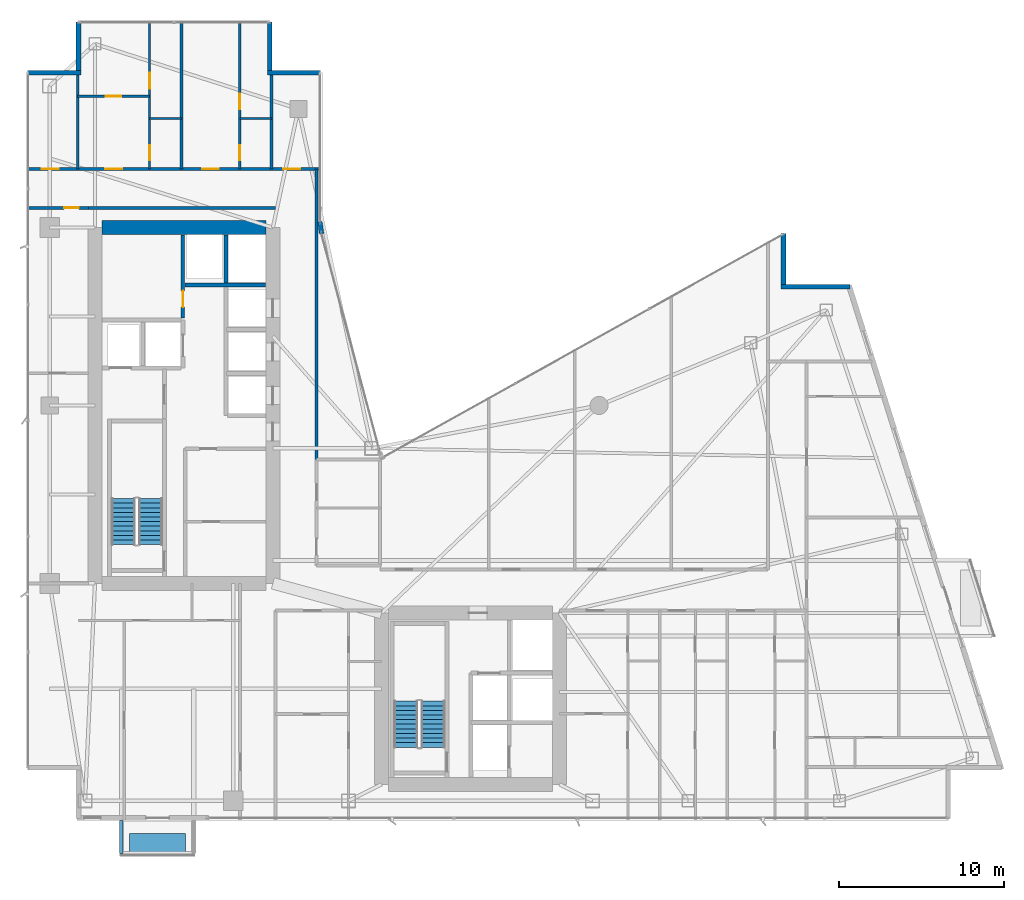
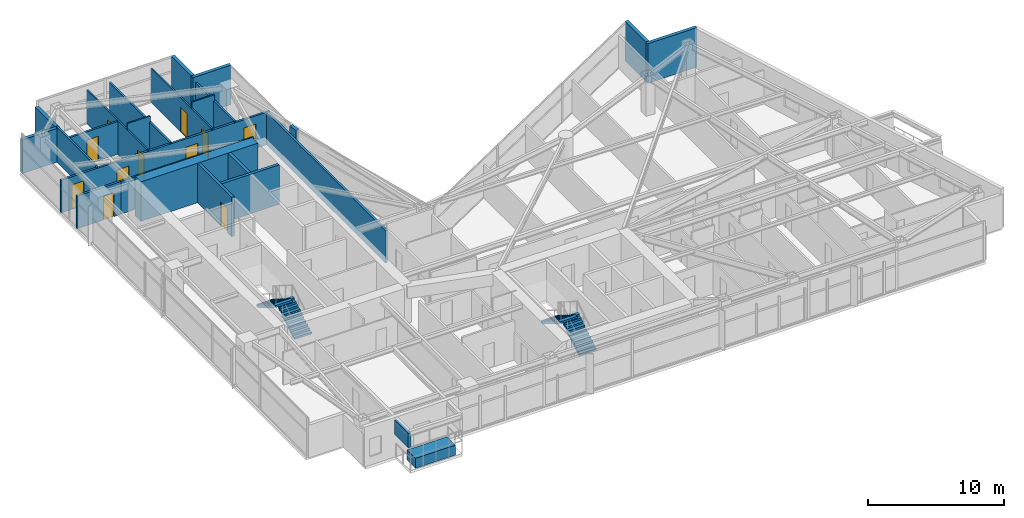
# One storey, part 25 of 29: 23 walls, 11 doors, 4 stair flights, 2 discrete accessories, 11 openings, 2 elements without a shape of their own.
"""IFC4 building model written with IfcOpenShell, lengths in metres."""

from ifc_helpers import new_model, si_unit, direction, frame, frame_2d, origin, origin_2d, place, context, subcontext, project, spatial, polyline, rectangle, outline, extrude, material, layer, layer_set, type_object, element, fill, aggregate, save


model = new_model("IFC4")

# Units and contexts
model_context = context("Model", 3, precision=1e-05, world=origin(), true_north=direction((0.0, 1.0)))
body_context = subcontext(model_context, "Body", "Model", "MODEL_VIEW")
ifc_project = project(units=[si_unit("LENGTHUNIT", "METRE"), si_unit("AREAUNIT", "SQUARE_METRE"), si_unit("VOLUMEUNIT", "CUBIC_METRE"), si_unit("PLANEANGLEUNIT", "RADIAN"), si_unit("MASSUNIT", "GRAM", prefix="KILO")], contexts=[model_context])

# Site, building, storey
site_placement = place(None, origin())
site = spatial("IfcSite", under=ifc_project, at=site_placement, CompositionType="ELEMENT")
building_placement = place(site_placement, origin())
building = spatial("IfcBuilding", under=site, at=building_placement, Name="Calvorn Quay Hotel", CompositionType="ELEMENT")
storey_placement = place(building_placement, frame((0.0, 0.0, 175.10009765625)))
storey = spatial("IfcBuildingStorey", under=building, at=storey_placement, Name="L43", CompositionType="ELEMENT", Elevation=175.10009765625)

# Wall
ifc_material_1 = material(Name="Concrete C50", Category="concrete")
ifc_layer_1 = layer(ifc_material_1, 0.85009765625)
ifc_layer_set_1 = layer_set([ifc_layer_1], Name="WL-CORE-850")
wall_type_1 = type_object("IfcWallType", Name="WL-CORE-850", PredefinedType="SHEAR", material=ifc_layer_set_1)
wall_1_placement = place(storey_placement, frame((4.625, 38.39990234375, 0.0), z_axis=(0.0, 0.0, 1.0), x_axis=(1.0, 0.0, 0.0)))
element("IfcWall", 1, at=wall_1_placement, inside=storey, type_object=wall_type_1, Name="West Core Shear Wall N (L43)", PredefinedType="SHEAR", context=body_context, shape_type="SweptSolid", body=[
    extrude(rectangle(XDim=9.949951171875, YDim=0.85009765625, at=frame_2d((4.97509765625, 0.0))), origin(), (0.0, 0.0, 1.0), 3.559814453125),
])

# Wall, opening, door
ifc_material_2 = material(Name="Acoustic Fireboard Steel-Stud Partition", Category="steel")
ifc_layer_2 = layer(ifc_material_2, 0.179931640625)
ifc_layer_set_2 = layer_set([ifc_layer_2], Name="WL-CORR-FIRE-180")
wall_type_2 = type_object("IfcWallType", Name="WL-CORR-FIRE-180", PredefinedType="PARTITIONING", material=ifc_layer_set_2)
wall_2_placement = place(storey_placement, frame((0.080078125, 39.60009765625, 0.0), z_axis=(0.0, 0.0, 1.0), x_axis=(1.0, 0.0, 0.0)))
wall_2 = element("IfcWall", 2, at=wall_2_placement, inside=storey, type_object=wall_type_2, Name="Partition Wall L43-WL-WBAY-N-DOOR", PredefinedType="PARTITIONING", context=body_context, shape_type="SweptSolid", body=[
    extrude(rectangle(XDim=3.724853515625, YDim=0.179931640625, at=frame_2d((1.8623046875, 0.0))), origin(), (0.0, 0.0, 1.0), 2.93994140625),
])
opening_1_placement = place(wall_2_placement, frame((2.25, 0.0, 0.0)))
opening_1 = element("IfcOpeningElement", 3, at=opening_1_placement, cuts=wall_2, Name="Opening D-L43-WBN", PredefinedType="OPENING", context=body_context, shape_type="SweptSolid", body=[
    extrude(rectangle(XDim=0.89990234375, YDim=2.14990234375, at=frame_2d((0.449951171875, 1.074951171875))), frame((0.0, 0.099853515625, 0.0), z_axis=(0.0, -1.0, 0.0), x_axis=(1.0, 0.0, 0.0)), (0.0, 0.0, 1.0), 0.199951171875),
])
ifc_material_3 = material(Name="Moisture-Sealed Timber En-Suite Door", Category="wood")
door_type_1 = type_object("IfcDoorType", Name="DR-ENSUITE-900", OperationType="NOTDEFINED", PredefinedType="DOOR", material=ifc_material_3)
door_1_placement = place(opening_1_placement, origin())
door_1 = element("IfcDoor", 4, at=door_1_placement, inside=storey, type_object=door_type_1, Name="West North Bay Door (L43)", OperationType="SINGLE_SWING_LEFT", OverallHeight=2.14990234375, OverallWidth=0.89990234375, PredefinedType="DOOR", context=body_context, shape_type="SweptSolid", body=[
    extrude(rectangle(XDim=0.89990234375, YDim=2.14990234375, at=frame_2d((0.449951171875, 1.074951171875))), frame((0.0, 0.02490234375, 0.0), z_axis=(0.0, -1.0, 0.0), x_axis=(1.0, 0.0, 0.0)), (0.0, 0.0, 1.0), 0.050048828125),
])
fill(opening_1, door_1)

# Wall, openings, doors
wall_3_placement = place(storey_placement, frame((0.080078125, 41.949951171875, 0.0), z_axis=(0.0, 0.0, 1.0), x_axis=(1.0, 0.0, 0.0)))
wall_3 = element("IfcWall", 5, at=wall_3_placement, inside=storey, type_object=wall_type_2, Name="Partition Wall L43-WL-CORR-NW-N", PredefinedType="PARTITIONING", context=body_context, shape_type="SweptSolid", body=[
    extrude(rectangle(XDim=17.77001953125, YDim=0.179931640625, at=frame_2d((8.885009765625, 0.0))), origin(), (0.0, 0.0, 1.0), 2.93994140625),
])
opening_2_placement = place(wall_3_placement, frame((0.89990234375, 0.0, 0.0)))
opening_2 = element("IfcOpeningElement", 6, at=opening_2_placement, cuts=wall_3, Name="Opening D-L43-NWW", PredefinedType="OPENING", context=body_context, shape_type="SweptSolid", body=[
    extrude(rectangle(XDim=1.02001953125, YDim=2.199951171875, at=frame_2d((0.510009765625, 1.10009765625))), frame((0.0, 0.099853515625, 0.0), z_axis=(0.0, -1.0, 0.0), x_axis=(1.0, 0.0, 0.0)), (0.0, 0.0, 1.0), 0.199951171875),
])
opening_3_placement = place(wall_3_placement, frame((4.75, 0.0, 0.0)))
opening_3 = element("IfcOpeningElement", 7, at=opening_3_placement, cuts=wall_3, Name="Opening D-L43-U03", PredefinedType="OPENING", context=body_context, shape_type="SweptSolid", body=[
    extrude(rectangle(XDim=1.02001953125, YDim=2.199951171875, at=frame_2d((0.510009765625, 1.10009765625))), frame((0.0, 0.099853515625, 0.0), z_axis=(0.0, -1.0, 0.0), x_axis=(1.0, 0.0, 0.0)), (0.0, 0.0, 1.0), 0.199951171875),
])
opening_4_placement = place(wall_3_placement, frame((10.6298828125, 0.0, 0.0)))
opening_4 = element("IfcOpeningElement", 8, at=opening_4_placement, cuts=wall_3, Name="Opening D-L43-U04", PredefinedType="OPENING", context=body_context, shape_type="SweptSolid", body=[
    extrude(rectangle(XDim=1.02001953125, YDim=2.199951171875, at=frame_2d((0.510009765625, 1.10009765625))), frame((0.0, 0.099853515625, 0.0), z_axis=(0.0, -1.0, 0.0), x_axis=(1.0, 0.0, 0.0)), (0.0, 0.0, 1.0), 0.199951171875),
])
opening_5_placement = place(wall_3_placement, frame((15.550048828125, 0.0, 0.0)))
opening_5 = element("IfcOpeningElement", 9, at=opening_5_placement, cuts=wall_3, Name="Opening D-L43-NWE", PredefinedType="OPENING", context=body_context, shape_type="SweptSolid", body=[
    extrude(rectangle(XDim=1.02001953125, YDim=2.199951171875, at=frame_2d((0.510009765625, 1.10009765625))), frame((0.0, 0.099853515625, 0.0), z_axis=(0.0, -1.0, 0.0), x_axis=(1.0, 0.0, 0.0)), (0.0, 0.0, 1.0), 0.199951171875),
])
ifc_material_4 = material(Name="Solid-Core Walnut Veneer Hotel Fire Door")
door_type_2 = type_object("IfcDoorType", Name="DR-GUEST-ENTRY-1020", OperationType="NOTDEFINED", PredefinedType="DOOR", material=ifc_material_4)
door_2_placement = place(opening_2_placement, origin())
door_2 = element("IfcDoor", 10, at=door_2_placement, inside=storey, type_object=door_type_2, Name="West Corner Study Door (L43)", OperationType="SINGLE_SWING_LEFT", OverallHeight=2.199951171875, OverallWidth=1.02001953125, PredefinedType="DOOR", context=body_context, shape_type="SweptSolid", body=[
    extrude(rectangle(XDim=1.02001953125, YDim=2.199951171875, at=frame_2d((0.510009765625, 1.10009765625))), frame((0.0, 0.02490234375, 0.0), z_axis=(0.0, -1.0, 0.0), x_axis=(1.0, 0.0, 0.0)), (0.0, 0.0, 1.0), 0.050048828125),
])
fill(opening_2, door_2)
door_3_placement = place(opening_3_placement, origin())
door_3 = element("IfcDoor", 11, at=door_3_placement, inside=storey, type_object=door_type_2, Name="North-West Unit Door U03 (L43)", OperationType="SINGLE_SWING_RIGHT", OverallHeight=2.199951171875, OverallWidth=1.02001953125, PredefinedType="DOOR", context=body_context, shape_type="SweptSolid", body=[
    extrude(rectangle(XDim=1.02001953125, YDim=2.199951171875, at=frame_2d((0.510009765625, 1.10009765625))), frame((0.0, 0.02490234375, 0.0), z_axis=(0.0, -1.0, 0.0), x_axis=(1.0, 0.0, 0.0)), (0.0, 0.0, 1.0), 0.050048828125),
])
fill(opening_3, door_3)
door_4_placement = place(opening_4_placement, origin())
door_4 = element("IfcDoor", 12, at=door_4_placement, inside=storey, type_object=door_type_2, Name="North-West Unit Door U04 (L43)", OperationType="SINGLE_SWING_LEFT", OverallHeight=2.199951171875, OverallWidth=1.02001953125, PredefinedType="DOOR", context=body_context, shape_type="SweptSolid", body=[
    extrude(rectangle(XDim=1.02001953125, YDim=2.199951171875, at=frame_2d((0.510009765625, 1.10009765625))), frame((0.0, 0.02490234375, 0.0), z_axis=(0.0, -1.0, 0.0), x_axis=(1.0, 0.0, 0.0)), (0.0, 0.0, 1.0), 0.050048828125),
])
fill(opening_4, door_4)
door_5_placement = place(opening_5_placement, origin())
door_5 = element("IfcDoor", 13, at=door_5_placement, inside=storey, type_object=door_type_2, Name="Inner Court Study Door (L43)", OperationType="SINGLE_SWING_RIGHT", OverallHeight=2.199951171875, OverallWidth=1.02001953125, PredefinedType="DOOR", context=body_context, shape_type="SweptSolid", body=[
    extrude(rectangle(XDim=1.02001953125, YDim=2.199951171875, at=frame_2d((0.510009765625, 1.10009765625))), frame((0.0, 0.02490234375, 0.0), z_axis=(0.0, -1.0, 0.0), x_axis=(1.0, 0.0, 0.0)), (0.0, 0.0, 1.0), 0.050048828125),
])
fill(opening_5, door_5)

# Walls
wall_4_placement = place(storey_placement, frame((17.64990234375, 24.300048828125, 0.0), z_axis=(0.0, 0.0, 1.0), x_axis=(0.0, 1.0, 0.0)))
element("IfcWall", 14, at=wall_4_placement, inside=storey, type_object=wall_type_2, Name="Partition Wall L43-WL-NW-CLOSURE-E", PredefinedType="PARTITIONING", context=body_context, shape_type="SweptSolid", body=[
    extrude(rectangle(XDim=17.64990234375, YDim=0.179931640625, at=frame_2d((8.824951171875, 0.0))), origin(), (0.0, 0.0, 1.0), 2.93994140625),
])
wall_5_placement = place(storey_placement, frame((3.7548828125, 39.60009765625, 0.0), z_axis=(0.0, 0.0, 1.0), x_axis=(1.0, 0.0, 0.0)))
element("IfcWall", 15, at=wall_5_placement, inside=storey, type_object=wall_type_2, Name="Partition Wall L43-WL-W-SPUR-S", PredefinedType="PARTITIONING", context=body_context, shape_type="SweptSolid", body=[
    extrude(rectangle(XDim=11.39501953125, YDim=0.179931640625, at=frame_2d((5.697509765625, 0.0))), origin(), (0.0, 0.0, 1.0), 2.93994140625),
])
ifc_material_5 = material(Name="Moisture-Resistant Tile-Backed Partition")
ifc_layer_3 = layer(ifc_material_5, 0.125)
ifc_layer_set_3 = layer_set([ifc_layer_3], Name="WL-ENSUITE-125")
wall_type_3 = type_object("IfcWallType", Name="WL-ENSUITE-125", PredefinedType="PARTITIONING", material=ifc_layer_set_3)
wall_6_placement = place(storey_placement, frame((7.52001953125, 45.02001953125, 0.0), z_axis=(0.0, 0.0, 1.0), x_axis=(1.0, 0.0, 0.0)))
element("IfcWall", 16, at=wall_6_placement, inside=storey, type_object=wall_type_3, Name="Partition Wall L43-WL-U03-BDV", PredefinedType="PARTITIONING", context=body_context, shape_type="SweptSolid", body=[
    extrude(rectangle(XDim=1.929931640625, YDim=0.125, at=frame_2d((0.96484375, 0.0))), origin(), (0.0, 0.0, 1.0), 3.559814453125),
])

# Wall, openings, doors
wall_7_placement = place(storey_placement, frame((7.52001953125, 41.949951171875, 0.0), z_axis=(0.0, 0.0, 1.0), x_axis=(0.0, 1.0, 0.0)))
wall_7 = element("IfcWall", 17, at=wall_7_placement, inside=storey, type_object=wall_type_3, Name="Partition Wall L43-WL-U03-BV", PredefinedType="PARTITIONING", context=body_context, shape_type="SweptSolid", body=[
    extrude(rectangle(XDim=8.989990234375, YDim=0.125, at=frame_2d((4.4951171875, 0.0))), origin(), (0.0, 0.0, 1.0), 3.039794921875),
])
opening_6_placement = place(wall_7_placement, frame((0.550048828125, 0.0, 0.0)))
opening_6 = element("IfcOpeningElement", 18, at=opening_6_placement, cuts=wall_7, Name="Opening D-L43-E03", PredefinedType="OPENING", context=body_context, shape_type="SweptSolid", body=[
    extrude(rectangle(XDim=0.89990234375, YDim=2.14990234375, at=frame_2d((0.449951171875, 1.074951171875))), frame((0.0, 0.072509765625, 0.0), z_axis=(0.0, -1.0, 0.0), x_axis=(1.0, 0.0, 0.0)), (0.0, 0.0, 1.0), 0.14501953125),
])
opening_7_placement = place(wall_7_placement, frame((4.8798828125, 0.0, 0.0)))
opening_7 = element("IfcOpeningElement", 19, at=opening_7_placement, cuts=wall_7, Name="Opening D-L43-S03", PredefinedType="OPENING", context=body_context, shape_type="SweptSolid", body=[
    extrude(rectangle(XDim=0.9599609375, YDim=2.199951171875, at=frame_2d((0.47998046875, 1.10009765625))), frame((0.0, 0.072509765625, 0.0), z_axis=(0.0, -1.0, 0.0), x_axis=(1.0, 0.0, 0.0)), (0.0, 0.0, 1.0), 0.14501953125),
])
door_6_placement = place(opening_6_placement, origin())
door_6 = element("IfcDoor", 20, at=door_6_placement, inside=storey, type_object=door_type_1, Name="En-Suite Door 03", OperationType="SINGLE_SWING_LEFT", OverallHeight=2.14990234375, OverallWidth=0.89990234375, PredefinedType="DOOR", context=body_context, shape_type="SweptSolid", body=[
    extrude(rectangle(XDim=0.89990234375, YDim=2.14990234375, at=frame_2d((0.449951171875, 1.074951171875))), frame((0.0, 0.02490234375, 0.0), z_axis=(0.0, -1.0, 0.0), x_axis=(1.0, 0.0, 0.0)), (0.0, 0.0, 1.0), 0.050048828125),
])
fill(opening_6, door_6)
ifc_material_6 = material(Name="Solid Timber Internal Suite Door", Category="wood")
door_type_3 = type_object("IfcDoorType", Name="DR-SUITE-INT-960", OperationType="NOTDEFINED", PredefinedType="DOOR", material=ifc_material_6)
door_7_placement = place(opening_7_placement, origin())
door_7 = element("IfcDoor", 21, at=door_7_placement, inside=storey, type_object=door_type_3, Name="Curated Resort Boutique Door 03", OperationType="SINGLE_SWING_RIGHT", OverallHeight=2.199951171875, OverallWidth=0.9599609375, PredefinedType="DOOR", context=body_context, shape_type="SweptSolid", body=[
    extrude(rectangle(XDim=0.9599609375, YDim=2.199951171875, at=frame_2d((0.47998046875, 1.10009765625))), frame((0.0, 0.02490234375, 0.0), z_axis=(0.0, -1.0, 0.0), x_axis=(1.0, 0.0, 0.0)), (0.0, 0.0, 1.0), 0.050048828125),
])
fill(opening_7, door_7)

# Wall
wall_8_placement = place(storey_placement, frame((12.989990234375, 45.02001953125, 0.0), z_axis=(0.0, 0.0, 1.0), x_axis=(1.0, 0.0, 0.0)))
element("IfcWall", 22, at=wall_8_placement, inside=storey, type_object=wall_type_3, Name="Partition Wall L43-WL-U04-BDV", PredefinedType="PARTITIONING", context=body_context, shape_type="SweptSolid", body=[
    extrude(rectangle(XDim=1.929931640625, YDim=0.125, at=frame_2d((0.96484375, 0.0))), origin(), (0.0, 0.0, 1.0), 3.559814453125),
])

# Wall, openings, doors
wall_9_placement = place(storey_placement, frame((12.989990234375, 41.949951171875, 0.0), z_axis=(0.0, 0.0, 1.0), x_axis=(0.0, 1.0, 0.0)))
wall_9 = element("IfcWall", 23, at=wall_9_placement, inside=storey, type_object=wall_type_3, Name="Partition Wall L43-WL-U04-BV", PredefinedType="PARTITIONING", context=body_context, shape_type="SweptSolid", body=[
    extrude(rectangle(XDim=8.989990234375, YDim=0.125, at=frame_2d((4.4951171875, 0.0))), origin(), (0.0, 0.0, 1.0), 3.039794921875),
])
opening_8_placement = place(wall_9_placement, frame((0.550048828125, 0.0, 0.0)))
opening_8 = element("IfcOpeningElement", 24, at=opening_8_placement, cuts=wall_9, Name="Opening D-L43-E04", PredefinedType="OPENING", context=body_context, shape_type="SweptSolid", body=[
    extrude(rectangle(XDim=0.89990234375, YDim=2.14990234375, at=frame_2d((0.449951171875, 1.074951171875))), frame((0.0, 0.072509765625, 0.0), z_axis=(0.0, -1.0, 0.0), x_axis=(1.0, 0.0, 0.0)), (0.0, 0.0, 1.0), 0.14501953125),
])
opening_9_placement = place(wall_9_placement, frame((3.6201171875, 0.0, 0.0)))
opening_9 = element("IfcOpeningElement", 25, at=opening_9_placement, cuts=wall_9, Name="Opening D-L43-S04", PredefinedType="OPENING", context=body_context, shape_type="SweptSolid", body=[
    extrude(rectangle(XDim=0.9599609375, YDim=2.199951171875, at=frame_2d((0.47998046875, 1.10009765625))), frame((0.0, 0.072509765625, 0.0), z_axis=(0.0, -1.0, 0.0), x_axis=(1.0, 0.0, 0.0)), (0.0, 0.0, 1.0), 0.14501953125),
])
door_8_placement = place(opening_8_placement, origin())
door_8 = element("IfcDoor", 26, at=door_8_placement, inside=storey, type_object=door_type_1, Name="En-Suite Door 04", OperationType="SINGLE_SWING_LEFT", OverallHeight=2.14990234375, OverallWidth=0.89990234375, PredefinedType="DOOR", context=body_context, shape_type="SweptSolid", body=[
    extrude(rectangle(XDim=0.89990234375, YDim=2.14990234375, at=frame_2d((0.449951171875, 1.074951171875))), frame((0.0, 0.02490234375, 0.0), z_axis=(0.0, -1.0, 0.0), x_axis=(1.0, 0.0, 0.0)), (0.0, 0.0, 1.0), 0.050048828125),
])
fill(opening_8, door_8)
door_9_placement = place(opening_9_placement, origin())
door_9 = element("IfcDoor", 27, at=door_9_placement, inside=storey, type_object=door_type_3, Name="Curated Resort Boutique Door 04", OperationType="SINGLE_SWING_RIGHT", OverallHeight=2.199951171875, OverallWidth=0.9599609375, PredefinedType="DOOR", context=body_context, shape_type="SweptSolid", body=[
    extrude(rectangle(XDim=0.9599609375, YDim=2.199951171875, at=frame_2d((0.47998046875, 1.10009765625))), frame((0.0, 0.02490234375, 0.0), z_axis=(0.0, -1.0, 0.0), x_axis=(1.0, 0.0, 0.0)), (0.0, 0.0, 1.0), 0.050048828125),
])
fill(opening_9, door_9)

# Walls
ifc_material_7 = material(Name="Concrete C40", Category="concrete")
ifc_layer_4 = layer(ifc_material_7, 0.320068359375)
ifc_layer_set_4 = layer_set([ifc_layer_4], Name="WL-EXT-SPANDREL-320")
wall_type_4 = type_object("IfcWallType", Name="WL-EXT-SPANDREL-320", PredefinedType="SOLIDWALL", material=ifc_layer_set_4)
wall_10_placement = place(storey_placement, frame((17.9619140625, 38.030029296875, 0.0), z_axis=(0.0, 0.0, 1.0), x_axis=(-0.15141125477, 0.988470855377, 0.0)))
element("IfcWall", 28, at=wall_10_placement, inside=storey, type_object=wall_type_4, Name="Inner Court Corner Pier L43-ICJ2", PredefinedType="SOLIDWALL", context=body_context, shape_type="SweptSolid", body=[
    extrude(rectangle(XDim=0.738525390625, YDim=0.280029296875, at=frame_2d((0.369140625, 0.0))), origin(), (0.0, 0.0, 1.0), 3.559814453125),
])
wall_11_placement = place(storey_placement, frame((50.0400390625, 34.800048828125, 0.0), z_axis=(0.0, 0.0, 1.0), x_axis=(-1.0, 0.0, 0.0)))
element("IfcWall", 29, at=wall_11_placement, inside=storey, type_object=wall_type_4, Name="Notched Corner Spandrel L43-NE1", PredefinedType="SOLIDWALL", context=body_context, shape_type="SweptSolid", body=[
    extrude(rectangle(XDim=4.179931640625, YDim=0.280029296875, at=frame_2d((2.08984375, 0.0))), origin(), (0.0, 0.0, 1.0), 3.559814453125),
])
wall_12_placement = place(storey_placement, frame((46.0, 34.93994140625, 0.0), z_axis=(0.0, 0.0, 1.0), x_axis=(0.0, 1.0, 0.0)))
element("IfcWall", 30, at=wall_12_placement, inside=storey, type_object=wall_type_4, Name="Notched Corner Spandrel L43-NE2", PredefinedType="SOLIDWALL", context=body_context, shape_type="SweptSolid", body=[
    extrude(rectangle(XDim=3.10009765625, YDim=0.280029296875, at=frame_2d((1.550048828125, 0.0))), origin(), (0.0, 0.0, 1.0), 3.559814453125),
])
wall_13_placement = place(storey_placement, frame((17.89990234375, 47.800048828125, 0.0), z_axis=(0.0, 0.0, 1.0), x_axis=(-1.0, 0.0, 0.0)))
element("IfcWall", 31, at=wall_13_placement, inside=storey, type_object=wall_type_4, Name="Notched Corner Spandrel L43-NWE1", PredefinedType="SOLIDWALL", context=body_context, shape_type="SweptSolid", body=[
    extrude(rectangle(XDim=3.239990234375, YDim=0.280029296875, at=frame_2d((1.6201171875, 0.0))), origin(), (0.0, 0.0, 1.0), 3.559814453125),
])
wall_14_placement = place(storey_placement, frame((14.800048828125, 47.93994140625, 0.0), z_axis=(0.0, 0.0, 1.0), x_axis=(0.0, 1.0, 0.0)))
element("IfcWall", 32, at=wall_14_placement, inside=storey, type_object=wall_type_4, Name="Notched Corner Spandrel L43-NWE2", PredefinedType="SOLIDWALL", context=body_context, shape_type="SweptSolid", body=[
    extrude(rectangle(XDim=2.93994140625, YDim=0.280029296875, at=frame_2d((1.469970703125, 0.0))), origin(), (0.0, 0.0, 1.0), 3.559814453125),
])
wall_15_placement = place(storey_placement, frame((3.199951171875, 50.8798828125, 0.0), z_axis=(0.0, 0.0, 1.0), x_axis=(0.0, -1.0, 0.0)))
element("IfcWall", 33, at=wall_15_placement, inside=storey, type_object=wall_type_4, Name="Notched Corner Spandrel L43-NW1", PredefinedType="SOLIDWALL", context=body_context, shape_type="SweptSolid", body=[
    extrude(rectangle(XDim=2.93994140625, YDim=0.280029296875, at=frame_2d((1.469970703125, 0.0))), origin(), (0.0, 0.0, 1.0), 3.039794921875),
])
wall_16_placement = place(storey_placement, frame((3.340087890625, 47.800048828125, 0.0), z_axis=(0.0, 0.0, 1.0), x_axis=(-1.0, 0.0, 0.0)))
element("IfcWall", 34, at=wall_16_placement, inside=storey, type_object=wall_type_4, Name="Notched Corner Spandrel L43-NW2", PredefinedType="SOLIDWALL", context=body_context, shape_type="SweptSolid", body=[
    extrude(rectangle(XDim=3.219970703125, YDim=0.280029296875, at=frame_2d((1.60986328125, 0.0))), origin(), (0.0, 0.0, 1.0), 3.039794921875),
])
ifc_material_8 = material(Name="Double-Stud Acoustic Gypsum Partition")
ifc_layer_5 = layer(ifc_material_8, 0.159912109375)
ifc_layer_set_5 = layer_set([ifc_layer_5], Name="WL-INTERSUITE-160")
wall_type_5 = type_object("IfcWallType", Name="WL-INTERSUITE-160", PredefinedType="PARTITIONING", material=ifc_layer_set_5)
wall_17_placement = place(storey_placement, frame((3.14990234375, 41.949951171875, 0.0), z_axis=(0.0, 0.0, 1.0), x_axis=(0.0, 1.0, 0.0)))
element("IfcWall", 35, at=wall_17_placement, inside=storey, type_object=wall_type_5, Name="Partition Wall L43-WL-NW-DIV-W0", PredefinedType="PARTITIONING", context=body_context, shape_type="SweptSolid", body=[
    extrude(rectangle(XDim=5.85009765625, YDim=0.159912109375, at=frame_2d((2.925048828125, 0.0))), origin(), (0.0, 0.0, 1.0), 3.139892578125),
])
wall_18_placement = place(storey_placement, frame((14.919921875, 41.949951171875, 0.0), z_axis=(0.0, 0.0, 1.0), x_axis=(0.0, 1.0, 0.0)))
element("IfcWall", 36, at=wall_18_placement, inside=storey, type_object=wall_type_5, Name="Partition Wall L43-WL-NW-DIV-E0", PredefinedType="PARTITIONING", context=body_context, shape_type="SweptSolid", body=[
    extrude(rectangle(XDim=5.85009765625, YDim=0.159912109375, at=frame_2d((2.925048828125, 0.0))), origin(), (0.0, 0.0, 1.0), 3.039794921875),
])

# Wall, opening, door
wall_19_placement = place(storey_placement, frame((3.14990234375, 46.3798828125, 0.0), z_axis=(0.0, 0.0, 1.0), x_axis=(1.0, 0.0, 0.0)))
wall_19 = element("IfcWall", 37, at=wall_19_placement, inside=storey, type_object=wall_type_5, Name="Partition Wall L43-WL-U03-MSP", PredefinedType="PARTITIONING", context=body_context, shape_type="SweptSolid", body=[
    extrude(rectangle(XDim=4.3701171875, YDim=0.159912109375, at=frame_2d((2.18505859375, 0.0))), origin(), (0.0, 0.0, 1.0), 2.93994140625),
])
opening_10_placement = place(wall_19_placement, frame((1.699951171875, 0.0, 0.0)))
opening_10 = element("IfcOpeningElement", 38, at=opening_10_placement, cuts=wall_19, Name="Opening D-L43-M03", PredefinedType="OPENING", context=body_context, shape_type="SweptSolid", body=[
    extrude(rectangle(XDim=0.9599609375, YDim=2.199951171875, at=frame_2d((0.47998046875, 1.10009765625))), frame((0.0, 0.08984375, 0.0), z_axis=(0.0, -1.0, 0.0), x_axis=(1.0, 0.0, 0.0)), (0.0, 0.0, 1.0), 0.179931640625),
])
door_10_placement = place(opening_10_placement, origin())
door_10 = element("IfcDoor", 39, at=door_10_placement, inside=storey, type_object=door_type_3, Name="Suite Bedroom Door 03", OperationType="SINGLE_SWING_LEFT", OverallHeight=2.199951171875, OverallWidth=0.9599609375, PredefinedType="DOOR", context=body_context, shape_type="SweptSolid", body=[
    extrude(rectangle(XDim=0.9599609375, YDim=2.199951171875, at=frame_2d((0.47998046875, 1.10009765625))), frame((0.0, 0.02490234375, 0.0), z_axis=(0.0, -1.0, 0.0), x_axis=(1.0, 0.0, 0.0)), (0.0, 0.0, 1.0), 0.050048828125),
])
fill(opening_10, door_10)

# Wall
wall_20_placement = place(storey_placement, frame((9.449951171875, 41.949951171875, 0.0), z_axis=(0.0, 0.0, 1.0), x_axis=(0.0, 1.0, 0.0)))
element("IfcWall", 40, at=wall_20_placement, inside=storey, type_object=wall_type_5, Name="Partition Wall L43-WL-NW-DIV-1", PredefinedType="PARTITIONING", context=body_context, shape_type="SweptSolid", body=[
    extrude(rectangle(XDim=8.989990234375, YDim=0.159912109375, at=frame_2d((4.4951171875, 0.0))), origin(), (0.0, 0.0, 1.0), 3.039794921875),
])

# Wall, opening, door
ifc_material_9 = material(Name="Autoclaved Aerated Masonry Block", Category="masonry")
ifc_layer_6 = layer(ifc_material_9, 0.219970703125)
ifc_layer_set_6 = layer_set([ifc_layer_6], Name="WL-LOBBY-FIRE-220")
wall_type_6 = type_object("IfcWallType", Name="WL-LOBBY-FIRE-220", PredefinedType="SOLIDWALL", material=ifc_layer_set_6)
wall_21_placement = place(storey_placement, frame((9.5400390625, 32.919921875, 0.0), z_axis=(0.0, 0.0, 1.0), x_axis=(0.0, 1.0, 0.0)))
wall_21 = element("IfcWall", 41, at=wall_21_placement, inside=storey, type_object=wall_type_6, Name="Partition Wall L43-WL-CWW-K-E", PredefinedType="SOLIDWALL", context=body_context, shape_type="SweptSolid", body=[
    extrude(rectangle(XDim=5.03515625, YDim=0.219970703125, at=frame_2d((2.517578125, 0.0))), origin(), (0.0, 0.0, 1.0), 3.559814453125),
])
opening_11_placement = place(wall_21_placement, frame((0.64990234375, 0.0, 0.0)))
opening_11 = element("IfcOpeningElement", 42, at=opening_11_placement, cuts=wall_21, Name="Opening D-L43-CK1", PredefinedType="OPENING", context=body_context, shape_type="SweptSolid", body=[
    extrude(rectangle(XDim=0.97998046875, YDim=2.14990234375, at=frame_2d((0.489990234375, 1.074951171875))), frame((0.0, 0.119873046875, 0.0), z_axis=(0.0, -1.0, 0.0), x_axis=(1.0, 0.0, 0.0)), (0.0, 0.0, 1.0), 0.239990234375),
])
ifc_material_10 = material(Name="Painted Steel Housekeeping/Riser Fire Door", Category="steel")
door_type_4 = type_object("IfcDoorType", Name="DR-SERVICE-980", OperationType="NOTDEFINED", PredefinedType="DOOR", material=ifc_material_10)
door_11_placement = place(opening_11_placement, origin())
door_11 = element("IfcDoor", 43, at=door_11_placement, inside=storey, type_object=door_type_4, Name="Core Linen Room Door (L43)", OperationType="SINGLE_SWING_LEFT", OverallHeight=2.14990234375, OverallWidth=0.97998046875, PredefinedType="DOOR", context=body_context, shape_type="SweptSolid", body=[
    extrude(rectangle(XDim=0.97998046875, YDim=2.14990234375, at=frame_2d((0.489990234375, 1.074951171875))), frame((0.0, 0.02490234375, 0.0), z_axis=(0.0, -1.0, 0.0), x_axis=(1.0, 0.0, 0.0)), (0.0, 0.0, 1.0), 0.050048828125),
])
fill(opening_11, door_11)

# Walls
ifc_material_11 = material(Name="Concrete C40", Category="concrete")
ifc_layer_7 = layer(ifc_material_11, 0.239990234375)
ifc_layer_set_7 = layer_set([ifc_layer_7], Name="WL-SHAFT-240")
wall_type_7 = type_object("IfcWallType", Name="WL-SHAFT-240", PredefinedType="SOLIDWALL", material=ifc_layer_set_7)
wall_22_placement = place(storey_placement, frame((9.659912109375, 34.89990234375, 0.0), z_axis=(0.0, 0.0, 1.0), x_axis=(1.0, 0.0, 0.0)))
element("IfcWall", 44, at=wall_22_placement, inside=storey, type_object=wall_type_7, Name="Partition Wall L43-WL-CWW-PLH-S", PredefinedType="SOLIDWALL", context=body_context, shape_type="SweptSolid", body=[
    extrude(rectangle(XDim=4.89501953125, YDim=0.239990234375, at=frame_2d((2.447509765625, 0.0))), origin(), (0.0, 0.0, 1.0), 3.559814453125),
])
wall_23_placement = place(storey_placement, frame((12.14990234375, 35.02001953125, 0.0), z_axis=(0.0, 0.0, 1.0), x_axis=(0.0, 1.0, 0.0)))
element("IfcWall", 45, at=wall_23_placement, inside=storey, type_object=wall_type_7, Name="Partition Wall L43-WL-CWW-PLH-DIV", PredefinedType="SOLIDWALL", context=body_context, shape_type="SweptSolid", body=[
    extrude(rectangle(XDim=2.93505859375, YDim=0.239990234375, at=frame_2d((1.467529296875, 0.0))), origin(), (0.0, 0.0, 1.0), 3.559814453125),
])

# Stair, stair flights
ifc_material_12 = material(Name="Concrete C40", Category="concrete")
stair_type = type_object("IfcStairType", Name="STR-CORE-DOGLEG", PredefinedType="HALF_TURN_STAIR", material=ifc_material_12)
stair_1_placement = place(storey_placement, origin())
stair_1 = element("IfcStair", 46, at=stair_1_placement, inside=storey, type_object=stair_type, Name="L43 ST-W", PredefinedType="HALF_TURN_STAIR")
ifc_material_13 = material(Name="Concrete C40", Category="concrete")
stair_flight_type = type_object("IfcStairFlightType", Name="FLT-CORE-1550", PredefinedType="STRAIGHT", material=ifc_material_13)
stair_flight_1_placement = place(storey_placement, frame((7.574951171875, 19.14990234375, 0.0), z_axis=(0.0, 0.0, 1.0), x_axis=(0.0, 1.0, 0.0)))
stair_flight_1 = element("IfcStairFlight", 47, at=stair_flight_1_placement, type_object=stair_flight_type, Name="ST-W flight 1", NumberOfRisers=11, NumberOfTreads=10, PredefinedType="STRAIGHT", RiserHeight=0.172727273, TreadLength=0.28, context=body_context, shape_type="SweptSolid", body=[
    extrude(outline(polyline([(0.0, 0.0), (0.0, 0.172607421875), (0.280029296875, 0.172607421875), (0.280029296875, 0.345458984375), (0.56005859375, 0.345458984375), (0.56005859375, 0.51806640625), (0.840087890625, 0.51806640625), (0.840087890625, 0.69091796875), (1.1201171875, 0.69091796875), (1.1201171875, 0.863525390625), (1.39990234375, 0.863525390625), (1.39990234375, 1.036376953125), (1.679931640625, 1.036376953125), (1.679931640625, 1.208984375), (1.9599609375, 1.208984375), (1.9599609375, 1.3818359375), (2.239990234375, 1.3818359375), (2.239990234375, 1.554443359375), (2.52001953125, 1.554443359375), (2.52001953125, 1.727294921875), (2.800048828125, 1.727294921875), (2.800048828125, 1.89990234375), (2.800048828125, 1.551025390625), (0.285400390625, 0.0), (0.0, 0.0)])), frame((0.0, 0.72509765625, 0.0), z_axis=(0.0, -1.0, 0.0), x_axis=(1.0, 0.0, 0.0)), (0.0, 0.0, 1.0), 1.449951171875),
])
stair_flight_2_placement = place(storey_placement, frame((5.925048828125, 21.949951171875, 1.89990234375), z_axis=(0.0, 0.0, 1.0), x_axis=(0.0, -1.0, 0.0)))
stair_flight_2 = element("IfcStairFlight", 48, at=stair_flight_2_placement, type_object=stair_flight_type, Name="ST-W flight 2", NumberOfRisers=11, NumberOfTreads=10, PredefinedType="STRAIGHT", RiserHeight=0.172727273, TreadLength=0.28, context=body_context, shape_type="SweptSolid", body=[
    extrude(outline(polyline([(0.0, 0.0), (0.0, 0.172607421875), (0.280029296875, 0.172607421875), (0.280029296875, 0.345458984375), (0.56005859375, 0.345458984375), (0.56005859375, 0.51806640625), (0.840087890625, 0.51806640625), (0.840087890625, 0.69091796875), (1.1201171875, 0.69091796875), (1.1201171875, 0.863525390625), (1.39990234375, 0.863525390625), (1.39990234375, 1.036376953125), (1.679931640625, 1.036376953125), (1.679931640625, 1.208984375), (1.9599609375, 1.208984375), (1.9599609375, 1.3818359375), (2.239990234375, 1.3818359375), (2.239990234375, 1.554443359375), (2.52001953125, 1.554443359375), (2.52001953125, 1.727294921875), (2.800048828125, 1.727294921875), (2.800048828125, 1.89990234375), (2.800048828125, 1.551025390625), (0.285400390625, 0.0), (0.0, 0.0)])), frame((0.0, 0.72509765625, 0.0), z_axis=(0.0, -1.0, 0.0), x_axis=(1.0, 0.0, 0.0)), (0.0, 0.0, 1.0), 1.449951171875),
])
aggregate(stair_1, [stair_flight_1, stair_flight_2])

stair_2_placement = place(storey_placement, origin())
stair_2 = element("IfcStair", 49, at=stair_2_placement, inside=storey, type_object=stair_type, Name="L43 ST-E", PredefinedType="HALF_TURN_STAIR")
stair_flight_3_placement = place(storey_placement, frame((24.72509765625, 6.85009765625, 0.0), z_axis=(0.0, 0.0, 1.0), x_axis=(0.0, 1.0, 0.0)))
stair_flight_3 = element("IfcStairFlight", 50, at=stair_flight_3_placement, type_object=stair_flight_type, Name="ST-E flight 1", NumberOfRisers=11, NumberOfTreads=10, PredefinedType="STRAIGHT", RiserHeight=0.172727273, TreadLength=0.28, context=body_context, shape_type="SweptSolid", body=[
    extrude(outline(polyline([(0.0, 0.0), (0.0, 0.172607421875), (0.280029296875, 0.172607421875), (0.280029296875, 0.345458984375), (0.56005859375, 0.345458984375), (0.56005859375, 0.51806640625), (0.840087890625, 0.51806640625), (0.840087890625, 0.69091796875), (1.1201171875, 0.69091796875), (1.1201171875, 0.863525390625), (1.39990234375, 0.863525390625), (1.39990234375, 1.036376953125), (1.679931640625, 1.036376953125), (1.679931640625, 1.208984375), (1.9599609375, 1.208984375), (1.9599609375, 1.3818359375), (2.239990234375, 1.3818359375), (2.239990234375, 1.554443359375), (2.52001953125, 1.554443359375), (2.52001953125, 1.727294921875), (2.800048828125, 1.727294921875), (2.800048828125, 1.89990234375), (2.800048828125, 1.551025390625), (0.285400390625, 0.0), (0.0, 0.0)])), frame((0.0, 0.72509765625, 0.0), z_axis=(0.0, -1.0, 0.0), x_axis=(1.0, 0.0, 0.0)), (0.0, 0.0, 1.0), 1.449951171875),
])
stair_flight_4_placement = place(storey_placement, frame((23.074951171875, 9.64990234375, 1.89990234375), z_axis=(0.0, 0.0, 1.0), x_axis=(0.0, -1.0, 0.0)))
stair_flight_4 = element("IfcStairFlight", 51, at=stair_flight_4_placement, type_object=stair_flight_type, Name="ST-E flight 2", NumberOfRisers=11, NumberOfTreads=10, PredefinedType="STRAIGHT", RiserHeight=0.172727273, TreadLength=0.28, context=body_context, shape_type="SweptSolid", body=[
    extrude(outline(polyline([(0.0, 0.0), (0.0, 0.172607421875), (0.280029296875, 0.172607421875), (0.280029296875, 0.345458984375), (0.56005859375, 0.345458984375), (0.56005859375, 0.51806640625), (0.840087890625, 0.51806640625), (0.840087890625, 0.69091796875), (1.1201171875, 0.69091796875), (1.1201171875, 0.863525390625), (1.39990234375, 0.863525390625), (1.39990234375, 1.036376953125), (1.679931640625, 1.036376953125), (1.679931640625, 1.208984375), (1.9599609375, 1.208984375), (1.9599609375, 1.3818359375), (2.239990234375, 1.3818359375), (2.239990234375, 1.554443359375), (2.52001953125, 1.554443359375), (2.52001953125, 1.727294921875), (2.800048828125, 1.727294921875), (2.800048828125, 1.89990234375), (2.800048828125, 1.551025390625), (0.285400390625, 0.0), (0.0, 0.0)])), frame((0.0, 0.72509765625, 0.0), z_axis=(0.0, -1.0, 0.0), x_axis=(1.0, 0.0, 0.0)), (0.0, 0.0, 1.0), 1.449951171875),
])
aggregate(stair_2, [stair_flight_3, stair_flight_4])

# Discrete accessories
ifc_material_14 = material(Name="Steel Q355B", Category="steel")
discrete_accessory_type_1 = type_object("IfcDiscreteAccessoryType", Name="ACC-BALC-STRUT", PredefinedType="BRACKET", material=ifc_material_14)
discrete_accessory_1_placement = place(storey_placement, frame((5.800048828125, 1.405029296875, 2.0146484375), z_axis=(0.0, 0.0, 1.0), x_axis=(1.0, 0.0, 0.0)))
element("IfcDiscreteAccessory", 52, at=discrete_accessory_1_placement, inside=storey, type_object=discrete_accessory_type_1, Name="Exterior Balcony Steel Bracket L44-BALC-S-A", PredefinedType="BRACKET", context=body_context, shape_type="SweptSolid", body=[
    extrude(rectangle(XDim=0.219970703125, YDim=1.989990234375, at=origin_2d()), origin(), (0.0, 0.0, 1.0), 1.300048828125),
])
ifc_material_15 = material(Name="Precast concrete C40", Category="concrete")
discrete_accessory_type_2 = type_object("IfcDiscreteAccessoryType", Name="ACC-TREE-PLANTER", PredefinedType="USERDEFINED", material=ifc_material_15)
discrete_accessory_2_placement = place(storey_placement, frame((8.0, 0.989990234375, 0.0), z_axis=(0.0, 0.0, 1.0), x_axis=(1.0, 0.0, 0.0)))
element("IfcDiscreteAccessory", 53, at=discrete_accessory_2_placement, inside=storey, type_object=discrete_accessory_type_2, Name="Subtropical Tree Structural Planter L43-BALC-S", ObjectType="PLANTER", PredefinedType="USERDEFINED", context=body_context, shape_type="SweptSolid", body=[
    extrude(rectangle(XDim=3.39990234375, YDim=1.25, at=origin_2d()), origin(), (0.0, 0.0, 1.0), 0.89990234375),
])

save(model, "model.ifc")
